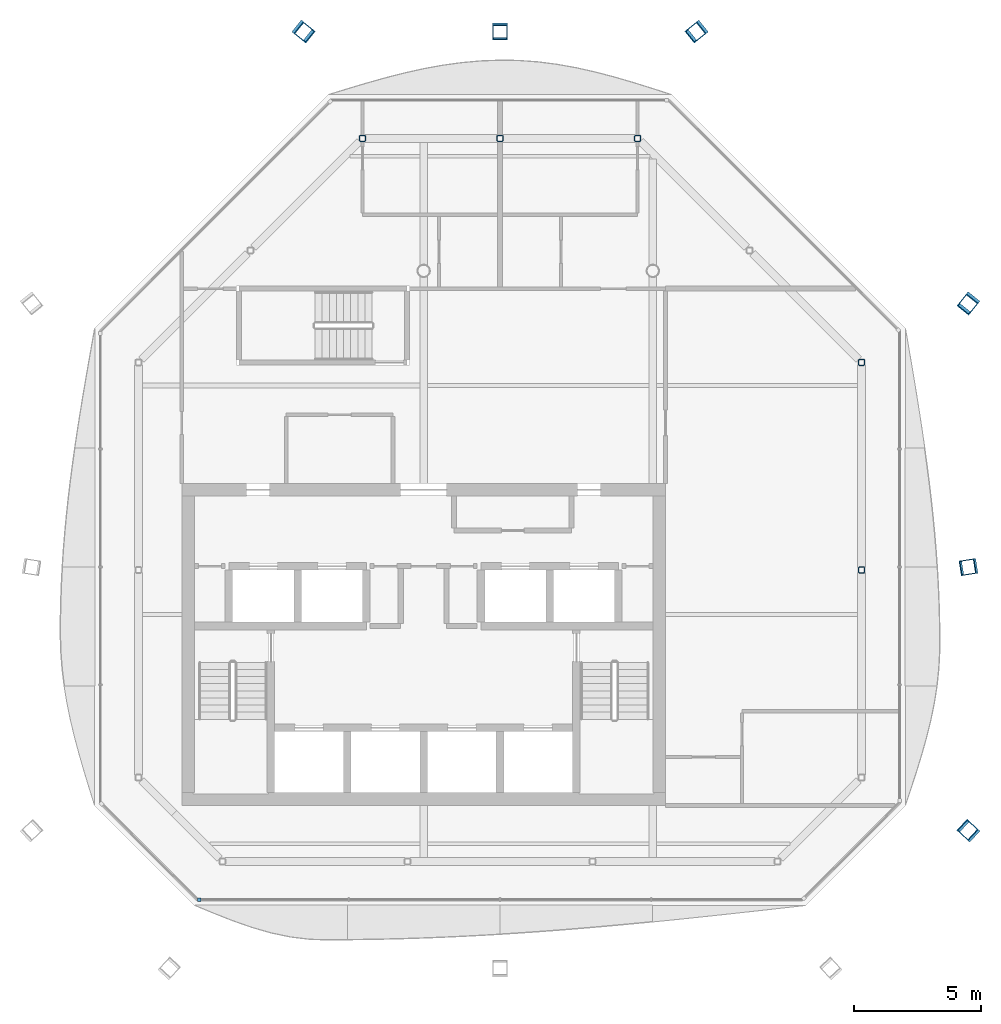
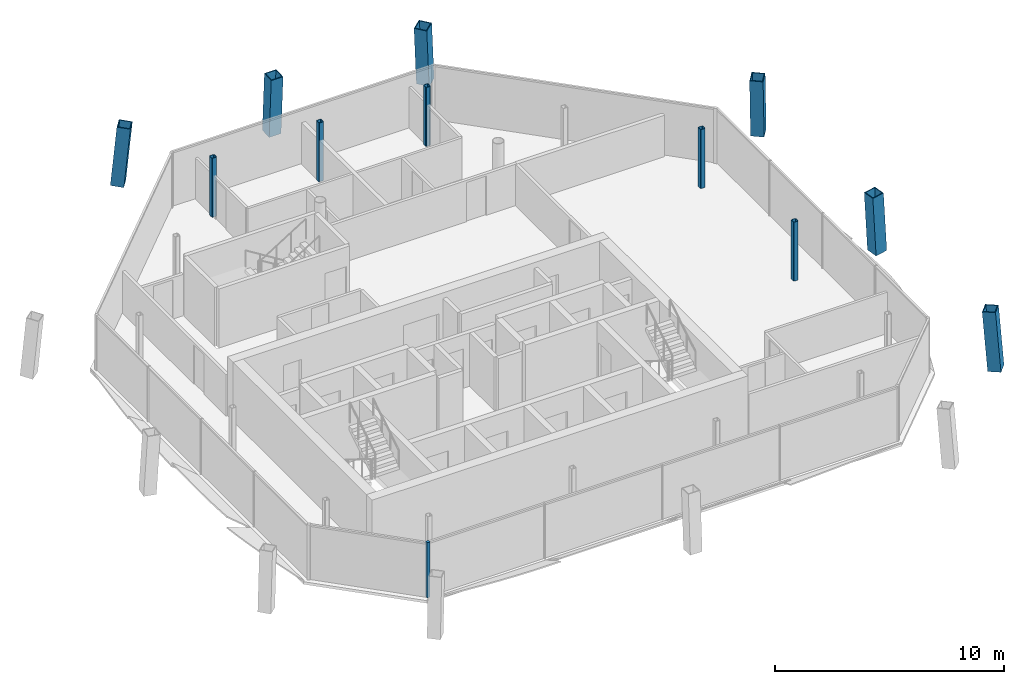
# One storey, part 2 of 13: 11 columns, 1 member, 1 element without a shape of its own.
"""IFC4 building model written with IfcOpenShell, lengths in metres."""

import ifcopenshell
import ifcopenshell.guid

model = None  # the IFC model being written
_history = None  # IfcOwnerHistory: only IFC2X3 demands one
_inside = {}  # id of a spatial element -> (the spatial element, [elements in it])
_under = {}  # id of a project, library or spatial element -> (it, [spatial elements below it])
_declared = {}  # id of a project -> (the project, [libraries it declares])
_typed = {}  # id of a type object -> (the type object, [elements of that type])
_made_of = {}  # id of a material, layer set ... -> (it, [elements and type objects made of it])


def new_model(schema):
    """Start an empty IFC model of exactly this schema.

    Asked for "IFC4X3", IfcOpenShell would pick the latest addendum, in which some entities
    have other attributes; the version numbers below select the first issue.
    IFC2X3 requires an IfcOwnerHistory on every rooted entity: one is made here for all.
    """
    global model, _history
    if schema == "IFC4X3":
        model = ifcopenshell.file(schema_version=(4, 3, 0, 0))
    else:
        model = ifcopenshell.file(schema=schema)
    _inside.clear()
    _under.clear()
    _declared.clear()
    _typed.clear()
    _made_of.clear()
    _history = None
    if model.schema == "IFC2X3":
        org = make("IfcOrganization", Name="unknown")
        user = make(
            "IfcPersonAndOrganization",
            ThePerson=make("IfcPerson", FamilyName="unknown"),
            TheOrganization=org,
        )
        app = make(
            "IfcApplication",
            ApplicationDeveloper=org,
            Version="unknown",
            ApplicationFullName="unknown",
            ApplicationIdentifier="unknown",
        )
        _history = make(
            "IfcOwnerHistory",
            OwningUser=user,
            OwningApplication=app,
            ChangeAction="ADDED",
            CreationDate=0,
        )
    return model


def make(cls, **values):
    """One entity of the class cls with the attributes given. An attribute that is None is left unset."""
    return model.create_entity(
        cls, **{name: value for name, value in values.items() if value is not None}
    )


def rooted(cls, **values):
    """An entity with a GlobalId (a new one), such as an element, a storey or a relation."""
    return make(cls, GlobalId=ifcopenshell.guid.new(), OwnerHistory=_history, **values)


def si_unit(unit_type, name, prefix=None):
    """IfcSIUnit, for example si_unit("LENGTHUNIT", "METRE", prefix="MILLI")."""
    return make("IfcSIUnit", UnitType=unit_type, Prefix=prefix, Name=name)


def assignment(units):
    """IfcUnitAssignment: the units of a project."""
    return None if units is None else make("IfcUnitAssignment", Units=units)


def point(xyz):
    """IfcCartesianPoint."""
    return None if xyz is None else make("IfcCartesianPoint", Coordinates=xyz)


def direction(xyz):
    """IfcDirection."""
    return None if xyz is None else make("IfcDirection", DirectionRatios=xyz)


def frame(location, z_axis=None, x_axis=None):
    """IfcAxis2Placement3D, a coordinate frame: its origin and axes. An axis left out is left unset."""
    return make(
        "IfcAxis2Placement3D",
        Location=point(location),
        Axis=direction(z_axis),
        RefDirection=direction(x_axis),
    )


def frame_2d(location, x_axis=None):
    """IfcAxis2Placement2D, a coordinate frame in the plane: its origin and x axis."""
    return make(
        "IfcAxis2Placement2D", Location=point(location), RefDirection=direction(x_axis)
    )


def origin():
    """The frame at (0, 0, 0) with its axes left unset."""
    return frame((0.0, 0.0, 0.0))


def origin_2d():
    """The frame at (0, 0) in the plane with its x axis left unset."""
    return frame_2d((0.0, 0.0))


def place(relative_to, where):
    """IfcLocalPlacement: puts the frame where relative to a parent placement (None: the world)."""
    return make(
        "IfcLocalPlacement", PlacementRelTo=relative_to, RelativePlacement=where
    )


def context(
    kind, dimensions, precision=None, world=None, true_north=None, identifier=None
):
    """IfcGeometricRepresentationContext, for example the 3D "Model" context."""
    return make(
        "IfcGeometricRepresentationContext",
        ContextIdentifier=identifier,
        ContextType=kind,
        CoordinateSpaceDimension=dimensions,
        Precision=precision,
        WorldCoordinateSystem=world,
        TrueNorth=true_north,
    )


def subcontext(parent, identifier, kind, view, scale=None):
    """IfcGeometricRepresentationSubContext, for example "Body" below "Model"."""
    return make(
        "IfcGeometricRepresentationSubContext",
        ContextIdentifier=identifier,
        ContextType=kind,
        ParentContext=parent,
        TargetScale=scale,
        TargetView=view,
    )


def project(units=None, contexts=None):
    """IfcProject with its units and contexts."""
    return rooted(
        "IfcProject",
        Name="project",
        RepresentationContexts=contexts,
        UnitsInContext=assignment(units),
    )


def spatial(cls, under=None, at=None, **own):
    """A site, building, storey or space (cls), placed at a placement, below another one or the project."""
    s = rooted(cls, ObjectPlacement=at, **own)
    if under is not None:
        _under.setdefault(under.id(), (under, []))[1].append(s)
    return s


def profile(cls, at=None, kind="AREA", **sizes):
    """A parametric profile (cls). Its sizes go by their IFC names, for example OverallWidth=200.0."""
    return make(cls, ProfileType=kind, Position=at, **sizes)


def rectangle(**sizes):
    """IfcRectangleProfileDef."""
    return profile("IfcRectangleProfileDef", **sizes)


def hollow_rectangle(**sizes):
    """IfcRectangleHollowProfileDef."""
    return profile("IfcRectangleHollowProfileDef", **sizes)


def extrude(swept, where, along, depth):
    """IfcExtrudedAreaSolid: the profile swept, set in the frame where, extruded along a direction by depth."""
    return make(
        "IfcExtrudedAreaSolid",
        SweptArea=swept,
        Position=where,
        ExtrudedDirection=direction(along),
        Depth=depth,
    )


def shape(context_of_items, identifier, shape_type, items):
    """IfcShapeRepresentation: the items that make up one representation, for example the "Body"."""
    return make(
        "IfcShapeRepresentation",
        ContextOfItems=context_of_items,
        RepresentationIdentifier=identifier,
        RepresentationType=shape_type,
        Items=items,
    )


def material(Name=None, Category=None):
    """IfcMaterial."""
    return make("IfcMaterial", Name=Name, Category=Category)


def material_profile(
    of_material, cross_section, Name=None, Category=None, Priority=None
):
    """IfcMaterialProfile: a cross section and its material."""
    return make(
        "IfcMaterialProfile",
        Name=Name,
        Material=of_material,
        Profile=cross_section,
        Priority=Priority,
        Category=Category,
    )


def profile_set(profiles, Name=None, composite=None):
    """IfcMaterialProfileSet."""
    return make(
        "IfcMaterialProfileSet",
        Name=Name,
        MaterialProfiles=profiles,
        CompositeProfile=composite,
    )


def made_of(thing, what):
    """Note that an element or type object is made of a material, layer set ...; save() writes the relation."""
    if what is not None:
        _made_of.setdefault(what.id(), (what, []))[1].append(thing)
    return thing


def type_object(cls, material=None, **own):
    """A type object (cls), such as IfcWallType, which elements share."""
    return made_of(rooted(cls, **own), material)


def element(
    cls,
    number,
    at=None,
    inside=None,
    cuts=None,
    type_object=None,
    material=None,
    context=None,
    identifier="Body",
    shape_type=None,
    held_by="IfcProductDefinitionShape",
    body=None,
    shapes=None,
    **own,
):
    """One element of the class cls, such as IfcWall. Its Tag is "e" and its number.

    at: its placement. inside: the storey or other place that contains it. cuts: it is an
    opening in that element (IfcRelVoidsElement). A single representation is given by context,
    identifier, shape_type and body (its items); several are given by shapes. held_by: the class
    of the entity that holds the representations. save() writes the other relations.
    """
    e = rooted(cls, Tag="e%d" % number, ObjectPlacement=at, **own)
    if body is not None:
        shapes = [shape(context, identifier, shape_type, body)]
    if shapes is not None:
        e.Representation = make(held_by, Representations=shapes)
    if inside is not None:
        _inside.setdefault(inside.id(), (inside, []))[1].append(e)
    if cuts is not None:
        rooted(
            "IfcRelVoidsElement", RelatingBuildingElement=cuts, RelatedOpeningElement=e
        )
    if type_object is not None:
        _typed.setdefault(type_object.id(), (type_object, []))[1].append(e)
    return made_of(e, material)


def aggregate(whole, parts):
    """IfcRelAggregates: a whole, such as a stair, and the parts it consists of."""
    return rooted("IfcRelAggregates", RelatingObject=whole, RelatedObjects=parts)


def save(model, path):
    """Write the relations noted so far, then the file.

    IfcRelAggregates (storeys below a building ...), IfcRelContainedInSpatialStructure (elements
    in a storey), IfcRelDefinesByType, IfcRelAssociatesMaterial and IfcRelDeclares: one each for
    every whole, place, type object, material and project.
    """
    for whole, parts in _under.values():
        aggregate(whole, parts)
    for where, things in _inside.values():
        rooted(
            "IfcRelContainedInSpatialStructure",
            RelatedElements=things,
            RelatingStructure=where,
        )
    for kind, things in _typed.values():
        rooted("IfcRelDefinesByType", RelatedObjects=things, RelatingType=kind)
    for what, things in _made_of.values():
        rooted("IfcRelAssociatesMaterial", RelatedObjects=things, RelatingMaterial=what)
    for by, libraries in _declared.values():
        rooted("IfcRelDeclares", RelatingContext=by, RelatedDefinitions=libraries)
    model.write(path)


model = new_model("IFC4")

# Units and contexts
model_context = context("Model", 3, precision=1e-05, world=origin(), true_north=direction((0.0, 1.0)))
body_context = subcontext(model_context, "Body", "Model", "MODEL_VIEW")
ifc_project = project(units=[si_unit("LENGTHUNIT", "METRE"), si_unit("AREAUNIT", "SQUARE_METRE"), si_unit("VOLUMEUNIT", "CUBIC_METRE"), si_unit("PLANEANGLEUNIT", "RADIAN"), si_unit("MASSUNIT", "GRAM", prefix="KILO")], contexts=[model_context])

# Site, building, storey
site_placement = place(None, origin())
site = spatial("IfcSite", under=ifc_project, at=site_placement, CompositionType="ELEMENT")
building_placement = place(site_placement, origin())
building = spatial("IfcBuilding", under=site, at=building_placement, Name="Tskaro Facet Tower", CompositionType="ELEMENT")
storey_placement = place(building_placement, frame((0.0, 0.0, 284.699951171875)))
storey = spatial("IfcBuildingStorey", under=building, at=storey_placement, Name="L76", CompositionType="ELEMENT", Elevation=284.699951171875)

# Columns
ifc_material_1 = material(Name="Steel S355J2", Category="steel")
ifc_material_profile_1 = material_profile(ifc_material_1, hollow_rectangle(XDim=0.60009765625, YDim=0.60009765625, WallThickness=0.0400390625, at=origin_2d()), Name="BOX 600x600x40")
ifc_profile_set_1 = profile_set([ifc_material_profile_1], Name="Steel S355J2")
column_type_1 = type_object("IfcColumnType", Name="BOX 600x600x40 mega column", PredefinedType="COLUMN", material=ifc_profile_set_1)
column_1_placement = place(storey_placement, frame((21.431884765625, -13.02099609375, 0.0), z_axis=(-0.057561953922, 0.052848827493, 0.996942136181), x_axis=(-0.676306475744, -0.736620357353, 0.0)))
element("IfcColumn", 1, at=column_1_placement, inside=storey, type_object=column_type_1, Name="BOX 600x600x40 MC04/6", PredefinedType="COLUMN", context=body_context, shape_type="SweptSolid", body=[
    extrude(hollow_rectangle(XDim=0.60009765625, YDim=0.60009765625, WallThickness=0.0400390625, at=origin_2d()), origin(), (0.0, 0.0, 1.0), 3.159912109375),
])
column_2_placement = place(storey_placement, frame((21.431884765625, -2.631103515625, 0.0), z_axis=(-0.057640105653, -0.009129573781, 0.998295682202), x_axis=(0.15643911056, -0.987687604806, 0.0)))
element("IfcColumn", 2, at=column_2_placement, inside=storey, type_object=column_type_1, Name="BOX 600x600x40 MC05/6", PredefinedType="COLUMN", context=body_context, shape_type="SweptSolid", body=[
    extrude(hollow_rectangle(XDim=0.60009765625, YDim=0.60009765625, WallThickness=0.0400390625, at=origin_2d()), origin(), (0.0, 0.0, 1.0), 3.155517578125),
])
for number, where, z_axis, x_axis, name in (
    (3, (21.431884765625, 7.760009765625, 0.0), (-0.057495127458, -0.071463742317, 0.995784737708), (0.779141980058, -0.626847489356, 0.0), "BOX 600x600x40 MC06/6"),
    (4, (10.760009765625, 18.431884765625, 0.0), (-0.071463742317, -0.057495127458, 0.995784737708), (0.626847489356, -0.779141980058, 0.0), "BOX 600x600x40 MC07/6"),
):
    element("IfcColumn", number, at=place(storey_placement, frame(where, z_axis=z_axis, x_axis=x_axis)), inside=storey, type_object=column_type_1, Name=name, PredefinedType="COLUMN", context=body_context, shape_type="SweptSolid", body=[
        extrude(hollow_rectangle(XDim=0.60009765625, YDim=0.60009765625, WallThickness=0.0400390625, at=origin_2d()), origin(), (0.0, 0.0, 1.0), 3.16357421875),
    ])
column_3_placement = place(storey_placement, frame((3.0, 18.431884765625, 0.0), z_axis=(0.0, -0.057642507929, 0.998337288335), x_axis=(1.0, 0.0, 0.0)))
element("IfcColumn", 5, at=column_3_placement, inside=storey, type_object=column_type_1, Name="BOX 600x600x40 MC08/6", PredefinedType="COLUMN", context=body_context, shape_type="SweptSolid", body=[
    extrude(hollow_rectangle(XDim=0.60009765625, YDim=0.60009765625, WallThickness=0.0400390625, at=origin_2d()), origin(), (0.0, 0.0, 1.0), 3.1552734375),
])
column_4_placement = place(storey_placement, frame((-4.760009765625, 18.431884765625, 0.0), z_axis=(0.071463742317, -0.057495127458, 0.995784737708), x_axis=(0.626847489356, 0.779141980058, 0.0)))
element("IfcColumn", 6, at=column_4_placement, inside=storey, type_object=column_type_1, Name="BOX 600x600x40 MC09/6", PredefinedType="COLUMN", context=body_context, shape_type="SweptSolid", body=[
    extrude(hollow_rectangle(XDim=0.60009765625, YDim=0.60009765625, WallThickness=0.0400390625, at=origin_2d()), origin(), (0.0, 0.0, 1.0), 3.16357421875),
])
ifc_material_2 = material(Name="Steel S355J2H", Category="steel")
ifc_material_profile_2 = material_profile(ifc_material_2, hollow_rectangle(XDim=0.25, YDim=0.25, WallThickness=0.02001953125, InnerFilletRadius=0.030029296875, OuterFilletRadius=0.050048828125, at=origin_2d()), Name="SHS 250x250x20")
ifc_profile_set_2 = profile_set([ifc_material_profile_2], Name="Steel S355J2H")
column_type_2 = type_object("IfcColumnType", Name="SHS 250x250x20 ring column", PredefinedType="COLUMN", material=ifc_profile_set_2)
for number, where, z_axis, x_axis, name in (
    (7, (17.199951171875, -2.75, 0.0), (0.0, 0.0, 1.0), (1.0, 0.0, 0.0), "SHS 250x250x20 RE-2/6"),
    (8, (17.199951171875, 5.403076171875, 0.0), (0.0, 0.0, 1.0), (1.0, 0.0, 0.0), "SHS 250x250x20 RNE-1/6"),
    (9, (8.403076171875, 14.199951171875, 0.0), (0.0, 0.0, 1.0), (1.0, 0.0, 0.0), "SHS 250x250x20 RN-1/6"),
    (10, (3.0, 14.199951171875, 0.0), (0.0, 0.0, 1.0), (1.0, 0.0, 0.0), "SHS 250x250x20 RN-2/6"),
    (11, (-2.403076171875, 14.199951171875, 0.0), (0.0, 0.0, 1.0), (1.0, 0.0, 0.0), "SHS 250x250x20 RNW-1/6"),
):
    element("IfcColumn", number, at=place(storey_placement, frame(where, z_axis=z_axis, x_axis=x_axis)), inside=storey, type_object=column_type_2, Name=name, PredefinedType="COLUMN", context=body_context, shape_type="SweptSolid", body=[
        extrude(hollow_rectangle(XDim=0.25, YDim=0.25, WallThickness=0.02001953125, InnerFilletRadius=0.030029296875, OuterFilletRadius=0.050048828125, at=origin_2d()), origin(), (0.0, 0.0, 1.0), 3.150146484375),
    ])

# Curtain wall, member
ifc_material_3 = material(Name="Bronze anodised aluminium 6063-T6", Category="aluminium")
curtain_wall_type = type_object("IfcCurtainWallType", Name="Bronze residence curtain wall (FW3)", PredefinedType="NOTDEFINED", material=ifc_material_3)
curtain_wall_placement = place(storey_placement, origin())
curtain_wall = element("IfcCurtainWall", 12, at=curtain_wall_placement, inside=storey, type_object=curtain_wall_type, Name="FW3 south facet L76", PredefinedType="NOTDEFINED")
ifc_material_profile_3 = material_profile(ifc_material_3, rectangle(XDim=0.139892578125, YDim=0.139892578125, at=origin_2d()), Name="Corner post 140x140")
ifc_profile_set_3 = profile_set([ifc_material_profile_3], Name="Bronze anodised aluminium 6063-T6")
member_type = type_object("IfcMemberType", Name="FW3 bronze corner post 140x140", PredefinedType="MULLION", material=ifc_profile_set_3)
member_placement = place(storey_placement, frame((-8.81689453125, -15.697998046875, 0.0), z_axis=(0.0, 0.0, 1.0), x_axis=(1.0, 0.0, 0.0)))
member = element("IfcMember", 13, at=member_placement, type_object=member_type, Name="FW3 south corner post", PredefinedType="MULLION", context=body_context, shape_type="SweptSolid", body=[
    extrude(rectangle(XDim=0.139892578125, YDim=0.139892578125, at=origin_2d()), origin(), (0.0, 0.0, 1.0), 2.949951171875),
])
aggregate(curtain_wall, [member])

save(model, "model.ifc")
